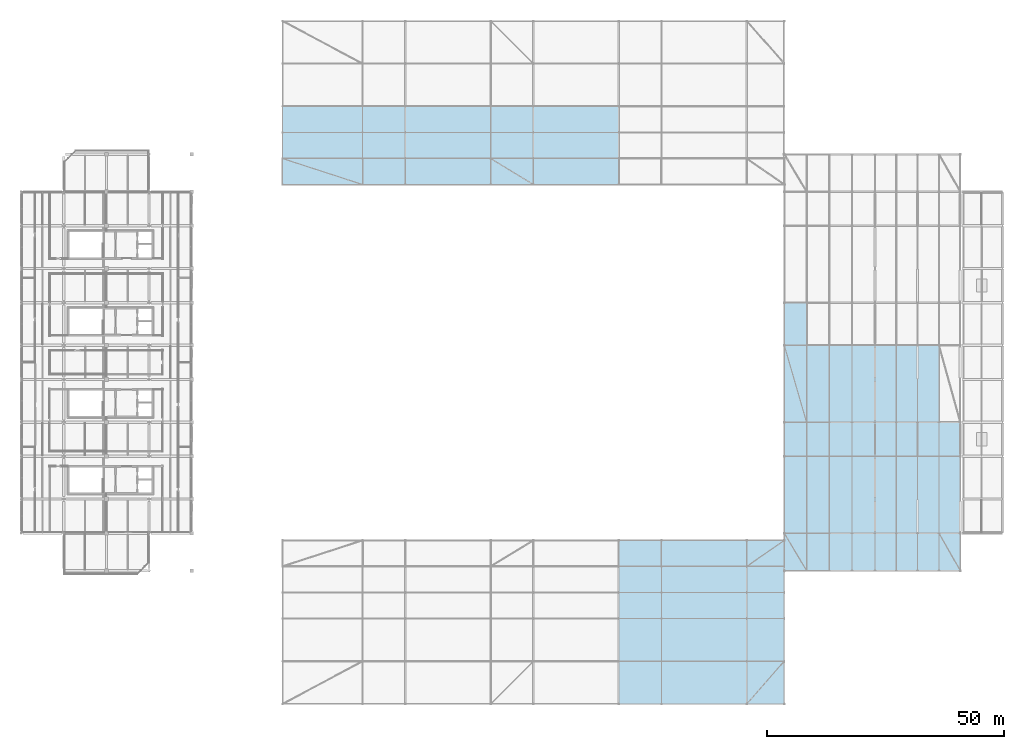
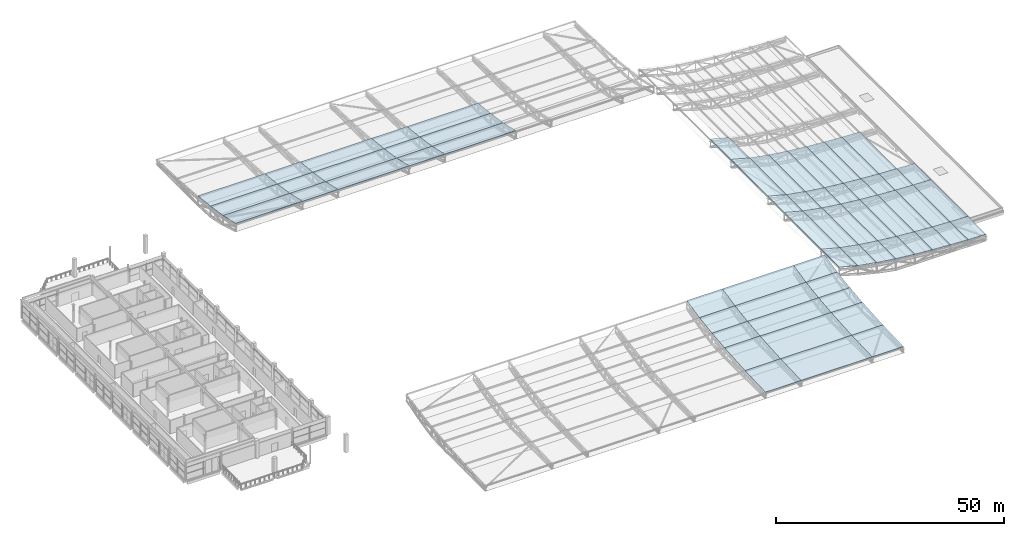
# One storey, part 89 of 114: 62 slabs.
"""IFC4 building model written with IfcOpenShell, lengths in metres."""

from ifc_helpers import new_model, si_unit, direction, frame, origin, place, context, subcontext, project, spatial, polyline, outline, extrude, material, layer, layer_set, type_object, element, save


model = new_model("IFC4")

# Units and contexts
model_context = context("Model", 3, precision=1e-05, world=origin(), true_north=direction((0.0, 1.0)))
body_context = subcontext(model_context, "Body", "Model", "MODEL_VIEW")
ifc_project = project(units=[si_unit("LENGTHUNIT", "METRE"), si_unit("AREAUNIT", "SQUARE_METRE"), si_unit("VOLUMEUNIT", "CUBIC_METRE"), si_unit("PLANEANGLEUNIT", "RADIAN"), si_unit("MASSUNIT", "GRAM", prefix="KILO"), si_unit("THERMODYNAMICTEMPERATUREUNIT", "KELVIN"), si_unit("POWERUNIT", "WATT")], contexts=[model_context])

# Site, building, storey
site_placement = place(None, origin())
site = spatial("IfcSite", under=ifc_project, at=site_placement, CompositionType="ELEMENT")
building_placement = place(site_placement, origin())
building = spatial("IfcBuilding", under=site, at=building_placement, Name="Sindhuravela Promenade Stadium", CompositionType="ELEMENT")
storey_placement = place(building_placement, frame((0.0, 0.0, 24.0)))
storey = spatial("IfcBuildingStorey", under=building, at=storey_placement, Name="L05", CompositionType="ELEMENT", Elevation=24.0)

# Slabs
ifc_material = material(Name="Concrete M40", Category="concrete")
ifc_layer_1 = layer(ifc_material, 0.1298828125)
ifc_layer_set_1 = layer_set([ifc_layer_1], Name="Concrete M40")
slab_type_1 = type_object("IfcSlabType", Name="SL-CAN-130", PredefinedType="ROOF", material=ifc_layer_set_1)
slab_1_placement = place(storey_placement, frame((126.0, 9.0, 1.465087890625), z_axis=(0.0, -0.03629876236799083, 0.9993409827734235), x_axis=(1.0, 0.0, 0.0)))
element("IfcSlab", 1, at=slab_1_placement, inside=storey, type_object=slab_type_1, Name="Stand canopy roof slab S bay 6.1", PredefinedType="ROOF", context=body_context, shape_type="SweptSolid", body=[
    extrude(outline(polyline([(0.0, 0.0), (9.0, 0.0), (9.0, 9.005935066350151), (0.0, 9.005935066350151), (0.0, 0.0)])), origin(), (0.0, 0.0, -1.0), 0.1298828125),
])
slab_2_placement = place(storey_placement, frame((126.0, 18.0, 1.7919921875), z_axis=(0.0, -0.07051629490820784, 0.9975106275887082), x_axis=(1.0, 0.0, 0.0)))
element("IfcSlab", 2, at=slab_2_placement, inside=storey, type_object=slab_type_1, Name="Stand canopy roof slab S bay 6.2", PredefinedType="ROOF", context=body_context, shape_type="SweptSolid", body=[
    extrude(outline(polyline([(0.0, 0.0), (9.0, 0.0), (9.0, 9.022460263662337), (0.0, 9.022460263662337), (0.0, 0.0)])), origin(), (0.0, 0.0, -1.0), 0.1298828125),
])
slab_3_placement = place(storey_placement, frame((126.0, 27.0, 2.42822265625), z_axis=(0.0, -0.1065455909441987, 0.9943078180575428), x_axis=(1.0, 0.0, 0.0)))
element("IfcSlab", 3, at=slab_3_placement, inside=storey, type_object=slab_type_1, Name="Stand canopy roof slab S bay 6.3", PredefinedType="ROOF", context=body_context, shape_type="SweptSolid", body=[
    extrude(outline(polyline([(0.0, 0.0), (9.0, 0.0), (9.0, 5.531486226010649), (0.0, 5.531486226010649), (0.0, 0.0)])), origin(), (0.0, 0.0, -1.0), 0.1298828125),
])
slab_4_placement = place(storey_placement, frame((126.0, 32.5, 3.017578125), z_axis=(0.0, -0.14687168523012892, 0.9891555530237203), x_axis=(1.0, 0.0, 0.0)))
element("IfcSlab", 4, at=slab_4_placement, inside=storey, type_object=slab_type_1, Name="Stand canopy roof slab S bay 6.4", PredefinedType="ROOF", context=body_context, shape_type="SweptSolid", body=[
    extrude(outline(polyline([(0.0, 0.0), (9.0, 0.0), (9.0, 5.560298360745398), (0.0, 5.560298360745398), (0.0, 0.0)])), origin(), (0.0, 0.0, -1.0), 0.1298828125),
])
slab_5_placement = place(storey_placement, frame((126.0, 38.0, 3.834228515625), z_axis=(0.0, -0.21836583135951027, 0.9758669805330386), x_axis=(1.0, 0.0, 0.0)))
element("IfcSlab", 5, at=slab_5_placement, inside=storey, type_object=slab_type_1, Name="Stand canopy roof slab S bay 6.5", PredefinedType="ROOF", context=body_context, shape_type="SweptSolid", body=[
    extrude(outline(polyline([(0.0, 0.0), (9.0, 0.0), (9.0, 5.636014036457906), (0.0, 5.636014036457906), (0.0, 0.0)])), origin(), (0.0, 0.0, -1.0), 0.1298828125),
])
slab_6_placement = place(storey_placement, frame((135.0, 9.0, 1.465087890625), z_axis=(0.0, -0.03629876236799083, 0.9993409827734235), x_axis=(1.0, 0.0, 0.0)))
element("IfcSlab", 6, at=slab_6_placement, inside=storey, type_object=slab_type_1, Name="Stand canopy roof slab S bay 7.1", PredefinedType="ROOF", context=body_context, shape_type="SweptSolid", body=[
    extrude(outline(polyline([(0.0, 0.0), (18.0, 0.0), (18.0, 9.005935066350151), (0.0, 9.005935066350151), (0.0, 0.0)])), origin(), (0.0, 0.0, -1.0), 0.1298828125),
])
slab_7_placement = place(storey_placement, frame((135.0, 18.0, 1.7919921875), z_axis=(0.0, -0.07051629490820784, 0.9975106275887082), x_axis=(1.0, 0.0, 0.0)))
element("IfcSlab", 7, at=slab_7_placement, inside=storey, type_object=slab_type_1, Name="Stand canopy roof slab S bay 7.2", PredefinedType="ROOF", context=body_context, shape_type="SweptSolid", body=[
    extrude(outline(polyline([(0.0, 0.0), (18.0, 0.0), (18.0, 9.022460263662337), (0.0, 9.022460263662337), (0.0, 0.0)])), origin(), (0.0, 0.0, -1.0), 0.1298828125),
])
slab_8_placement = place(storey_placement, frame((135.0, 27.0, 2.42822265625), z_axis=(0.0, -0.1065455909441987, 0.9943078180575428), x_axis=(1.0, 0.0, 0.0)))
element("IfcSlab", 8, at=slab_8_placement, inside=storey, type_object=slab_type_1, Name="Stand canopy roof slab S bay 7.3", PredefinedType="ROOF", context=body_context, shape_type="SweptSolid", body=[
    extrude(outline(polyline([(0.0, 0.0), (18.0, 0.0), (18.0, 5.531486226010649), (0.0, 5.531486226010649), (0.0, 0.0)])), origin(), (0.0, 0.0, -1.0), 0.1298828125),
])
slab_9_placement = place(storey_placement, frame((135.0, 32.5, 3.017578125), z_axis=(0.0, -0.14687168523012892, 0.9891555530237203), x_axis=(1.0, 0.0, 0.0)))
element("IfcSlab", 9, at=slab_9_placement, inside=storey, type_object=slab_type_1, Name="Stand canopy roof slab S bay 7.4", PredefinedType="ROOF", context=body_context, shape_type="SweptSolid", body=[
    extrude(outline(polyline([(0.0, 0.0), (18.0, 0.0), (18.0, 5.560298360745398), (0.0, 5.560298360745398), (0.0, 0.0)])), origin(), (0.0, 0.0, -1.0), 0.1298828125),
])
slab_10_placement = place(storey_placement, frame((135.0, 38.0, 3.834228515625), z_axis=(0.0, -0.21836583135951027, 0.9758669805330386), x_axis=(1.0, 0.0, 0.0)))
element("IfcSlab", 10, at=slab_10_placement, inside=storey, type_object=slab_type_1, Name="Stand canopy roof slab S bay 7.5", PredefinedType="ROOF", context=body_context, shape_type="SweptSolid", body=[
    extrude(outline(polyline([(0.0, 0.0), (18.0, 0.0), (18.0, 5.636014036457906), (0.0, 5.636014036457906), (0.0, 0.0)])), origin(), (0.0, 0.0, -1.0), 0.1298828125),
])
slab_11_placement = place(storey_placement, frame((153.0, 9.0, 1.465087890625), z_axis=(0.0, -0.03629876236799083, 0.9993409827734235), x_axis=(1.0, 0.0, 0.0)))
element("IfcSlab", 11, at=slab_11_placement, inside=storey, type_object=slab_type_1, Name="Stand canopy roof slab S bay 8.1", PredefinedType="ROOF", context=body_context, shape_type="SweptSolid", body=[
    extrude(outline(polyline([(0.0, 0.0), (7.89990234375, 0.0), (7.89990234375, 9.005935066350151), (0.0, 9.005935066350151), (0.0, 0.0)])), origin(), (0.0, 0.0, -1.0), 0.1298828125),
])
slab_12_placement = place(storey_placement, frame((153.0, 18.0, 1.7919921875), z_axis=(0.0, -0.07051629490820784, 0.9975106275887082), x_axis=(1.0, 0.0, 0.0)))
element("IfcSlab", 12, at=slab_12_placement, inside=storey, type_object=slab_type_1, Name="Stand canopy roof slab S bay 8.2", PredefinedType="ROOF", context=body_context, shape_type="SweptSolid", body=[
    extrude(outline(polyline([(0.0, 0.0), (7.89990234375, 0.0), (7.89990234375, 9.022460263662337), (0.0, 9.022460263662337), (0.0, 0.0)])), origin(), (0.0, 0.0, -1.0), 0.1298828125),
])
slab_13_placement = place(storey_placement, frame((153.0, 27.0, 2.42822265625), z_axis=(0.0, -0.10654559094419869, 0.9943078180575426), x_axis=(1.0, 0.0, 0.0)))
element("IfcSlab", 13, at=slab_13_placement, inside=storey, type_object=slab_type_1, Name="Stand canopy roof slab S bay 8.3", PredefinedType="ROOF", context=body_context, shape_type="SweptSolid", body=[
    extrude(outline(polyline([(0.0, 0.0), (7.89990234375, 0.0), (7.89990234375, 5.5314862260106485), (0.0, 5.5314862260106485), (0.0, 0.0)])), origin(), (0.0, 0.0, -1.0), 0.1298828125),
])
slab_14_placement = place(storey_placement, frame((153.0, 32.5, 3.017578125), z_axis=(0.0, -0.14687168523012892, 0.9891555530237204), x_axis=(1.0, 0.0, 0.0)))
element("IfcSlab", 14, at=slab_14_placement, inside=storey, type_object=slab_type_1, Name="Stand canopy roof slab S bay 8.4", PredefinedType="ROOF", context=body_context, shape_type="SweptSolid", body=[
    extrude(outline(polyline([(0.0, 0.0), (7.89990234375, 0.0), (7.89990234375, 5.560298360745398), (0.0, 5.560298360745398), (0.0, 0.0)])), origin(), (0.0, 0.0, -1.0), 0.1298828125),
])
slab_15_placement = place(storey_placement, frame((153.0, 38.0, 3.834228515625), z_axis=(0.0, -0.21836583135951027, 0.9758669805330386), x_axis=(1.0, 0.0, 0.0)))
element("IfcSlab", 15, at=slab_15_placement, inside=storey, type_object=slab_type_1, Name="Stand canopy roof slab S bay 8.5", PredefinedType="ROOF", context=body_context, shape_type="SweptSolid", body=[
    extrude(outline(polyline([(0.0, 0.0), (7.89990234375, 0.0), (7.89990234375, 5.636014036457906), (0.0, 5.636014036457906), (0.0, 0.0)])), origin(), (0.0, 0.0, -1.0), 0.1298828125),
])
slab_16_placement = place(storey_placement, frame((55.10009765625, 135.0, 2.42822265625), z_axis=(0.0, 0.10654559094419869, 0.9943078180575428), x_axis=(1.0, 0.0, 0.0)))
element("IfcSlab", 16, at=slab_16_placement, inside=storey, type_object=slab_type_1, Name="Stand canopy roof slab N bay 1.3", PredefinedType="ROOF", context=body_context, shape_type="SweptSolid", body=[
    extrude(outline(polyline([(0.0, 0.0), (0.0, -5.531486226010649), (16.89990234375, -5.531486226010649), (16.89990234375, 0.0), (0.0, 0.0)])), origin(), (0.0, 0.0, -1.0), 0.1298828125),
])
slab_17_placement = place(storey_placement, frame((55.10009765625, 129.5, 3.017578125), z_axis=(0.0, 0.14687168523012892, 0.9891555530237203), x_axis=(1.0, 0.0, 0.0)))
element("IfcSlab", 17, at=slab_17_placement, inside=storey, type_object=slab_type_1, Name="Stand canopy roof slab N bay 1.4", PredefinedType="ROOF", context=body_context, shape_type="SweptSolid", body=[
    extrude(outline(polyline([(0.0, 0.0), (0.0, -5.560298360745398), (16.89990234375, -5.560298360745398), (16.89990234375, 0.0), (0.0, 0.0)])), origin(), (0.0, 0.0, -1.0), 0.1298828125),
])
slab_18_placement = place(storey_placement, frame((55.10009765625, 124.0, 3.834228515625), z_axis=(0.0, 0.21836583135951027, 0.9758669805330386), x_axis=(1.0, 0.0, 0.0)))
element("IfcSlab", 18, at=slab_18_placement, inside=storey, type_object=slab_type_1, Name="Stand canopy roof slab N bay 1.5", PredefinedType="ROOF", context=body_context, shape_type="SweptSolid", body=[
    extrude(outline(polyline([(0.0, 0.0), (0.0, -5.636014036457906), (16.89990234375, -5.636014036457906), (16.89990234375, 0.0), (0.0, 0.0)])), origin(), (0.0, 0.0, -1.0), 0.1298828125),
])
slab_19_placement = place(storey_placement, frame((72.0, 135.0, 2.42822265625), z_axis=(0.0, 0.1065455909441987, 0.9943078180575428), x_axis=(1.0, 0.0, 0.0)))
element("IfcSlab", 19, at=slab_19_placement, inside=storey, type_object=slab_type_1, Name="Stand canopy roof slab N bay 2.3", PredefinedType="ROOF", context=body_context, shape_type="SweptSolid", body=[
    extrude(outline(polyline([(0.0, 0.0), (0.0, -5.531486226010649), (9.0, -5.531486226010649), (9.0, 0.0), (0.0, 0.0)])), origin(), (0.0, 0.0, -1.0), 0.1298828125),
])
slab_20_placement = place(storey_placement, frame((72.0, 129.5, 3.017578125), z_axis=(0.0, 0.14687168523012892, 0.9891555530237203), x_axis=(1.0, 0.0, 0.0)))
element("IfcSlab", 20, at=slab_20_placement, inside=storey, type_object=slab_type_1, Name="Stand canopy roof slab N bay 2.4", PredefinedType="ROOF", context=body_context, shape_type="SweptSolid", body=[
    extrude(outline(polyline([(0.0, 0.0), (0.0, -5.560298360745398), (9.0, -5.560298360745398), (9.0, 0.0), (0.0, 0.0)])), origin(), (0.0, 0.0, -1.0), 0.1298828125),
])
slab_21_placement = place(storey_placement, frame((72.0, 124.0, 3.834228515625), z_axis=(0.0, 0.21836583135951027, 0.9758669805330386), x_axis=(1.0, 0.0, 0.0)))
element("IfcSlab", 21, at=slab_21_placement, inside=storey, type_object=slab_type_1, Name="Stand canopy roof slab N bay 2.5", PredefinedType="ROOF", context=body_context, shape_type="SweptSolid", body=[
    extrude(outline(polyline([(0.0, 0.0), (0.0, -5.636014036457906), (9.0, -5.636014036457906), (9.0, 0.0), (0.0, 0.0)])), origin(), (0.0, 0.0, -1.0), 0.1298828125),
])
slab_22_placement = place(storey_placement, frame((81.0, 135.0, 2.42822265625), z_axis=(0.0, 0.1065455909441987, 0.9943078180575428), x_axis=(1.0, 0.0, 0.0)))
element("IfcSlab", 22, at=slab_22_placement, inside=storey, type_object=slab_type_1, Name="Stand canopy roof slab N bay 3.3", PredefinedType="ROOF", context=body_context, shape_type="SweptSolid", body=[
    extrude(outline(polyline([(0.0, 0.0), (0.0, -5.531486226010649), (18.0, -5.531486226010649), (18.0, 0.0), (0.0, 0.0)])), origin(), (0.0, 0.0, -1.0), 0.1298828125),
])
slab_23_placement = place(storey_placement, frame((81.0, 129.5, 3.017578125), z_axis=(0.0, 0.14687168523012892, 0.9891555530237203), x_axis=(1.0, 0.0, 0.0)))
element("IfcSlab", 23, at=slab_23_placement, inside=storey, type_object=slab_type_1, Name="Stand canopy roof slab N bay 3.4", PredefinedType="ROOF", context=body_context, shape_type="SweptSolid", body=[
    extrude(outline(polyline([(0.0, 0.0), (0.0, -5.560298360745398), (18.0, -5.560298360745398), (18.0, 0.0), (0.0, 0.0)])), origin(), (0.0, 0.0, -1.0), 0.1298828125),
])
slab_24_placement = place(storey_placement, frame((81.0, 124.0, 3.834228515625), z_axis=(0.0, 0.21836583135951027, 0.9758669805330386), x_axis=(1.0, 0.0, 0.0)))
element("IfcSlab", 24, at=slab_24_placement, inside=storey, type_object=slab_type_1, Name="Stand canopy roof slab N bay 3.5", PredefinedType="ROOF", context=body_context, shape_type="SweptSolid", body=[
    extrude(outline(polyline([(0.0, 0.0), (0.0, -5.636014036457906), (18.0, -5.636014036457906), (18.0, 0.0), (0.0, 0.0)])), origin(), (0.0, 0.0, -1.0), 0.1298828125),
])
slab_25_placement = place(storey_placement, frame((99.0, 135.0, 2.42822265625), z_axis=(0.0, 0.1065455909441987, 0.9943078180575428), x_axis=(1.0, 0.0, 0.0)))
element("IfcSlab", 25, at=slab_25_placement, inside=storey, type_object=slab_type_1, Name="Stand canopy roof slab N bay 4.3", PredefinedType="ROOF", context=body_context, shape_type="SweptSolid", body=[
    extrude(outline(polyline([(0.0, 0.0), (0.0, -5.531486226010649), (9.0, -5.531486226010649), (9.0, 0.0), (0.0, 0.0)])), origin(), (0.0, 0.0, -1.0), 0.1298828125),
])
slab_26_placement = place(storey_placement, frame((99.0, 129.5, 3.017578125), z_axis=(0.0, 0.14687168523012892, 0.9891555530237203), x_axis=(1.0, 0.0, 0.0)))
element("IfcSlab", 26, at=slab_26_placement, inside=storey, type_object=slab_type_1, Name="Stand canopy roof slab N bay 4.4", PredefinedType="ROOF", context=body_context, shape_type="SweptSolid", body=[
    extrude(outline(polyline([(0.0, 0.0), (0.0, -5.560298360745398), (9.0, -5.560298360745398), (9.0, 0.0), (0.0, 0.0)])), origin(), (0.0, 0.0, -1.0), 0.1298828125),
])
slab_27_placement = place(storey_placement, frame((99.0, 124.0, 3.834228515625), z_axis=(0.0, 0.21836583135951027, 0.9758669805330386), x_axis=(1.0, 0.0, 0.0)))
element("IfcSlab", 27, at=slab_27_placement, inside=storey, type_object=slab_type_1, Name="Stand canopy roof slab N bay 4.5", PredefinedType="ROOF", context=body_context, shape_type="SweptSolid", body=[
    extrude(outline(polyline([(0.0, 0.0), (0.0, -5.636014036457906), (9.0, -5.636014036457906), (9.0, 0.0), (0.0, 0.0)])), origin(), (0.0, 0.0, -1.0), 0.1298828125),
])
slab_28_placement = place(storey_placement, frame((108.0, 135.0, 2.42822265625), z_axis=(0.0, 0.1065455909441987, 0.9943078180575428), x_axis=(1.0, 0.0, 0.0)))
element("IfcSlab", 28, at=slab_28_placement, inside=storey, type_object=slab_type_1, Name="Stand canopy roof slab N bay 5.3", PredefinedType="ROOF", context=body_context, shape_type="SweptSolid", body=[
    extrude(outline(polyline([(0.0, 0.0), (0.0, -5.531486226010649), (18.0, -5.531486226010649), (18.0, 0.0), (0.0, 0.0)])), origin(), (0.0, 0.0, -1.0), 0.1298828125),
])
slab_29_placement = place(storey_placement, frame((108.0, 129.5, 3.017578125), z_axis=(0.0, 0.14687168523012892, 0.9891555530237203), x_axis=(1.0, 0.0, 0.0)))
element("IfcSlab", 29, at=slab_29_placement, inside=storey, type_object=slab_type_1, Name="Stand canopy roof slab N bay 5.4", PredefinedType="ROOF", context=body_context, shape_type="SweptSolid", body=[
    extrude(outline(polyline([(0.0, 0.0), (0.0, -5.560298360745398), (18.0, -5.560298360745398), (18.0, 0.0), (0.0, 0.0)])), origin(), (0.0, 0.0, -1.0), 0.1298828125),
])
slab_30_placement = place(storey_placement, frame((108.0, 124.0, 3.834228515625), z_axis=(0.0, 0.21836583135951027, 0.9758669805330386), x_axis=(1.0, 0.0, 0.0)))
element("IfcSlab", 30, at=slab_30_placement, inside=storey, type_object=slab_type_1, Name="Stand canopy roof slab N bay 5.5", PredefinedType="ROOF", context=body_context, shape_type="SweptSolid", body=[
    extrude(outline(polyline([(0.0, 0.0), (0.0, -5.636014036457906), (18.0, -5.636014036457906), (18.0, 0.0), (0.0, 0.0)])), origin(), (0.0, 0.0, -1.0), 0.1298828125),
])
ifc_layer_2 = layer(ifc_material, 0.14990234375)
ifc_layer_set_2 = layer_set([ifc_layer_2], Name="Concrete M40")
slab_type_2 = type_object("IfcSlabType", Name="SL-CAN-150", PredefinedType="ROOF", material=ifc_layer_set_2)
slab_31_placement = place(storey_placement, frame((198.0, 37.10009765625, 1.485107421875), z_axis=(0.029013388526599376, 0.0, 0.9995790230322985), x_axis=(0.0, 1.0, 0.0)))
element("IfcSlab", 31, at=slab_31_placement, inside=storey, type_object=slab_type_2, Name="Stand canopy roof slab E bay 1.1", PredefinedType="ROOF", context=body_context, shape_type="SweptSolid", body=[
    extrude(outline(polyline([(0.0, 0.0), (7.89990234375, 0.0), (7.89990234375, 4.501895194187758), (0.0, 4.501895194187758), (0.0, 0.0)])), origin(), (0.0, 0.0, -1.0), 0.14990234375),
])
slab_32_placement = place(storey_placement, frame((193.5, 37.10009765625, 1.61572265625), z_axis=(0.044011133083803756, 0.0, 0.9990310406412203), x_axis=(0.0, 1.0, 0.0)))
element("IfcSlab", 32, at=slab_32_placement, inside=storey, type_object=slab_type_2, Name="Stand canopy roof slab E bay 1.2", PredefinedType="ROOF", context=body_context, shape_type="SweptSolid", body=[
    extrude(outline(polyline([(0.0, 0.0), (7.89990234375, 0.0), (7.89990234375, 4.504364546182378), (0.0, 4.504364546182378), (0.0, 0.0)])), origin(), (0.0, 0.0, -1.0), 0.14990234375),
])
slab_33_placement = place(storey_placement, frame((189.0, 37.10009765625, 1.81396484375), z_axis=(0.060436199081064255, 0.0, 0.9981720622420935), x_axis=(0.0, 1.0, 0.0)))
element("IfcSlab", 33, at=slab_33_placement, inside=storey, type_object=slab_type_2, Name="Stand canopy roof slab E bay 1.3", PredefinedType="ROOF", context=body_context, shape_type="SweptSolid", body=[
    extrude(outline(polyline([(0.0, 0.0), (7.89990234375, 0.0), (7.89990234375, 4.508240783549985), (0.0, 4.508240783549985), (0.0, 0.0)])), origin(), (0.0, 0.0, -1.0), 0.14990234375),
])
slab_34_placement = place(storey_placement, frame((184.5, 37.10009765625, 2.08642578125), z_axis=(0.07896274138457582, 0.0, 0.996877567945549), x_axis=(0.0, 1.0, 0.0)))
element("IfcSlab", 34, at=slab_34_placement, inside=storey, type_object=slab_type_2, Name="Stand canopy roof slab E bay 1.4", PredefinedType="ROOF", context=body_context, shape_type="SweptSolid", body=[
    extrude(outline(polyline([(0.0, 0.0), (7.89990234375, 0.0), (7.89990234375, 4.514094954783653), (0.0, 4.514094954783653), (0.0, 0.0)])), origin(), (0.0, 0.0, -1.0), 0.14990234375),
])
slab_35_placement = place(storey_placement, frame((180.0, 37.10009765625, 2.44287109375), z_axis=(0.10185297386452327, 0.0, 0.9947994630652717), x_axis=(0.0, 1.0, 0.0)))
element("IfcSlab", 35, at=slab_35_placement, inside=storey, type_object=slab_type_2, Name="Stand canopy roof slab E bay 1.5", PredefinedType="ROOF", context=body_context, shape_type="SweptSolid", body=[
    extrude(outline(polyline([(0.0, 0.0), (7.89990234375, 0.0), (7.89990234375, 4.82514215813369), (0.0, 4.82514215813369), (0.0, 0.0)])), origin(), (0.0, 0.0, -1.0), 0.14990234375),
])
slab_36_placement = place(storey_placement, frame((175.199951171875, 37.10009765625, 2.934326171875), z_axis=(0.13228920638354172, 0.0, 0.9912111610925357), x_axis=(0.0, 1.0, 0.0)))
element("IfcSlab", 36, at=slab_36_placement, inside=storey, type_object=slab_type_2, Name="Stand canopy roof slab E bay 1.6", PredefinedType="ROOF", context=body_context, shape_type="SweptSolid", body=[
    extrude(outline(polyline([(0.0, 0.0), (7.89990234375, 0.0), (7.89990234375, 4.842609745066103), (0.0, 4.842609745066103), (0.0, 0.0)])), origin(), (0.0, 0.0, -1.0), 0.14990234375),
])
slab_37_placement = place(storey_placement, frame((170.39990234375, 37.10009765625, 3.574951171875), z_axis=(0.17653223173388988, 0.0, 0.9842948598662152), x_axis=(0.0, 1.0, 0.0)))
element("IfcSlab", 37, at=slab_37_placement, inside=storey, type_object=slab_type_2, Name="Stand canopy roof slab E bay 1.7", PredefinedType="ROOF", context=body_context, shape_type="SweptSolid", body=[
    extrude(outline(polyline([(0.0, 0.0), (7.89990234375, 0.0), (7.89990234375, 4.876389061050656), (0.0, 4.876389061050656), (0.0, 0.0)])), origin(), (0.0, 0.0, -1.0), 0.14990234375),
])
slab_38_placement = place(storey_placement, frame((165.60009765625, 37.10009765625, 4.435791015625), z_axis=(0.2568720746349965, 0.0, 0.9664454134987204), x_axis=(0.0, 1.0, 0.0)))
element("IfcSlab", 38, at=slab_38_placement, inside=storey, type_object=slab_type_2, Name="Stand canopy roof slab E bay 1.8", PredefinedType="ROOF", context=body_context, shape_type="SweptSolid", body=[
    extrude(outline(polyline([(0.0, 0.0), (7.89990234375, 0.0), (7.89990234375, 4.8633841568810166), (0.0, 4.8633841568810166), (0.0, 0.0)])), origin(), (0.0, 0.0, -1.0), 0.14990234375),
])
slab_39_placement = place(storey_placement, frame((198.0, 45.0, 1.485107421875), z_axis=(0.029013388526599376, 0.0, 0.9995790230322985), x_axis=(0.0, 1.0, 0.0)))
element("IfcSlab", 39, at=slab_39_placement, inside=storey, type_object=slab_type_2, Name="Stand canopy roof slab E bay 2.1", PredefinedType="ROOF", context=body_context, shape_type="SweptSolid", body=[
    extrude(outline(polyline([(0.0, 0.0), (16.199951171875, 0.0), (16.199951171875, 4.501895194187758), (0.0, 4.501895194187758), (0.0, 0.0)])), origin(), (0.0, 0.0, -1.0), 0.14990234375),
])
slab_40_placement = place(storey_placement, frame((193.5, 45.0, 1.61572265625), z_axis=(0.044011133083803756, 0.0, 0.9990310406412203), x_axis=(0.0, 1.0, 0.0)))
element("IfcSlab", 40, at=slab_40_placement, inside=storey, type_object=slab_type_2, Name="Stand canopy roof slab E bay 2.2", PredefinedType="ROOF", context=body_context, shape_type="SweptSolid", body=[
    extrude(outline(polyline([(0.0, 0.0), (16.199951171875, 0.0), (16.199951171875, 4.504364546182378), (0.0, 4.504364546182378), (0.0, 0.0)])), origin(), (0.0, 0.0, -1.0), 0.14990234375),
])
slab_41_placement = place(storey_placement, frame((189.0, 45.0, 1.81396484375), z_axis=(0.060436199081064255, 0.0, 0.9981720622420935), x_axis=(0.0, 1.0, 0.0)))
element("IfcSlab", 41, at=slab_41_placement, inside=storey, type_object=slab_type_2, Name="Stand canopy roof slab E bay 2.3", PredefinedType="ROOF", context=body_context, shape_type="SweptSolid", body=[
    extrude(outline(polyline([(0.0, 0.0), (16.199951171875, 0.0), (16.199951171875, 4.508240783549985), (0.0, 4.508240783549985), (0.0, 0.0)])), origin(), (0.0, 0.0, -1.0), 0.14990234375),
])
slab_42_placement = place(storey_placement, frame((184.5, 45.0, 2.08642578125), z_axis=(0.07896274138457582, 0.0, 0.996877567945549), x_axis=(0.0, 1.0, 0.0)))
element("IfcSlab", 42, at=slab_42_placement, inside=storey, type_object=slab_type_2, Name="Stand canopy roof slab E bay 2.4", PredefinedType="ROOF", context=body_context, shape_type="SweptSolid", body=[
    extrude(outline(polyline([(0.0, 0.0), (16.199951171875, 0.0), (16.199951171875, 4.514094954783653), (0.0, 4.514094954783653), (0.0, 0.0)])), origin(), (0.0, 0.0, -1.0), 0.14990234375),
])
slab_43_placement = place(storey_placement, frame((180.0, 45.0, 2.44287109375), z_axis=(0.10185297386452324, 0.0, 0.9947994630652716), x_axis=(0.0, 1.0, 0.0)))
element("IfcSlab", 43, at=slab_43_placement, inside=storey, type_object=slab_type_2, Name="Stand canopy roof slab E bay 2.5", PredefinedType="ROOF", context=body_context, shape_type="SweptSolid", body=[
    extrude(outline(polyline([(0.0, 0.0), (16.199951171875, 0.0), (16.199951171875, 4.825142158133689), (0.0, 4.825142158133689), (0.0, 0.0)])), origin(), (0.0, 0.0, -1.0), 0.14990234375),
])
slab_44_placement = place(storey_placement, frame((175.199951171875, 45.0, 2.934326171875), z_axis=(0.1322892063835417, 0.0, 0.9912111610925356), x_axis=(0.0, 1.0, 0.0)))
element("IfcSlab", 44, at=slab_44_placement, inside=storey, type_object=slab_type_2, Name="Stand canopy roof slab E bay 2.6", PredefinedType="ROOF", context=body_context, shape_type="SweptSolid", body=[
    extrude(outline(polyline([(0.0, 0.0), (16.199951171875, 0.0), (16.199951171875, 4.8426097450661025), (0.0, 4.8426097450661025), (0.0, 0.0)])), origin(), (0.0, 0.0, -1.0), 0.14990234375),
])
slab_45_placement = place(storey_placement, frame((170.39990234375, 45.0, 3.574951171875), z_axis=(0.17653223173388985, 0.0, 0.9842948598662151), x_axis=(0.0, 1.0, 0.0)))
element("IfcSlab", 45, at=slab_45_placement, inside=storey, type_object=slab_type_2, Name="Stand canopy roof slab E bay 2.7", PredefinedType="ROOF", context=body_context, shape_type="SweptSolid", body=[
    extrude(outline(polyline([(0.0, 0.0), (16.199951171875, 0.0), (16.199951171875, 4.876389061050656), (0.0, 4.876389061050656), (0.0, 0.0)])), origin(), (0.0, 0.0, -1.0), 0.14990234375),
])
slab_46_placement = place(storey_placement, frame((165.60009765625, 45.0, 4.435791015625), z_axis=(0.2568720746349965, 0.0, 0.9664454134987206), x_axis=(0.0, 1.0, 0.0)))
element("IfcSlab", 46, at=slab_46_placement, inside=storey, type_object=slab_type_2, Name="Stand canopy roof slab E bay 2.8", PredefinedType="ROOF", context=body_context, shape_type="SweptSolid", body=[
    extrude(outline(polyline([(0.0, 0.0), (16.199951171875, 0.0), (16.199951171875, 4.863384156881017), (0.0, 4.863384156881017), (0.0, 0.0)])), origin(), (0.0, 0.0, -1.0), 0.14990234375),
])
slab_47_placement = place(storey_placement, frame((198.0, 61.199951171875, 1.485107421875), z_axis=(0.02901338852659938, 0.0, 0.9995790230322986), x_axis=(0.0, 1.0, 0.0)))
element("IfcSlab", 47, at=slab_47_placement, inside=storey, type_object=slab_type_2, Name="Stand canopy roof slab E bay 3.1", PredefinedType="ROOF", context=body_context, shape_type="SweptSolid", body=[
    extrude(outline(polyline([(0.0, 0.0), (7.199951171875, 0.0), (7.199951171875, 4.5018951941877585), (0.0, 4.5018951941877585), (0.0, 0.0)])), origin(), (0.0, 0.0, -1.0), 0.14990234375),
])
slab_48_placement = place(storey_placement, frame((193.5, 61.199951171875, 1.61572265625), z_axis=(0.04401113308380376, 0.0, 0.9990310406412204), x_axis=(0.0, 1.0, 0.0)))
element("IfcSlab", 48, at=slab_48_placement, inside=storey, type_object=slab_type_2, Name="Stand canopy roof slab E bay 3.2", PredefinedType="ROOF", context=body_context, shape_type="SweptSolid", body=[
    extrude(outline(polyline([(0.0, 0.0), (7.199951171875, 0.0), (7.199951171875, 4.504364546182379), (0.0, 4.504364546182379), (0.0, 0.0)])), origin(), (0.0, 0.0, -1.0), 0.14990234375),
])
slab_49_placement = place(storey_placement, frame((189.0, 61.199951171875, 1.81396484375), z_axis=(0.060436199081064255, 0.0, 0.9981720622420935), x_axis=(0.0, 1.0, 0.0)))
element("IfcSlab", 49, at=slab_49_placement, inside=storey, type_object=slab_type_2, Name="Stand canopy roof slab E bay 3.3", PredefinedType="ROOF", context=body_context, shape_type="SweptSolid", body=[
    extrude(outline(polyline([(0.0, 0.0), (7.199951171875, 0.0), (7.199951171875, 4.508240783549985), (0.0, 4.508240783549985), (0.0, 0.0)])), origin(), (0.0, 0.0, -1.0), 0.14990234375),
])
slab_50_placement = place(storey_placement, frame((184.5, 61.199951171875, 2.08642578125), z_axis=(0.07896274138457582, 0.0, 0.9968775679455489), x_axis=(0.0, 1.0, 0.0)))
element("IfcSlab", 50, at=slab_50_placement, inside=storey, type_object=slab_type_2, Name="Stand canopy roof slab E bay 3.4", PredefinedType="ROOF", context=body_context, shape_type="SweptSolid", body=[
    extrude(outline(polyline([(0.0, 0.0), (7.199951171875, 0.0), (7.199951171875, 4.514094954783652), (0.0, 4.514094954783652), (0.0, 0.0)])), origin(), (0.0, 0.0, -1.0), 0.14990234375),
])
slab_51_placement = place(storey_placement, frame((180.0, 61.199951171875, 2.44287109375), z_axis=(0.10185297386452326, 0.0, 0.9947994630652717), x_axis=(0.0, 1.0, 0.0)))
element("IfcSlab", 51, at=slab_51_placement, inside=storey, type_object=slab_type_2, Name="Stand canopy roof slab E bay 3.5", PredefinedType="ROOF", context=body_context, shape_type="SweptSolid", body=[
    extrude(outline(polyline([(0.0, 0.0), (7.199951171875, 0.0), (7.199951171875, 4.82514215813369), (0.0, 4.82514215813369), (0.0, 0.0)])), origin(), (0.0, 0.0, -1.0), 0.14990234375),
])
slab_52_placement = place(storey_placement, frame((175.199951171875, 61.199951171875, 2.934326171875), z_axis=(0.13228920638354172, 0.0, 0.9912111610925356), x_axis=(0.0, 1.0, 0.0)))
element("IfcSlab", 52, at=slab_52_placement, inside=storey, type_object=slab_type_2, Name="Stand canopy roof slab E bay 3.6", PredefinedType="ROOF", context=body_context, shape_type="SweptSolid", body=[
    extrude(outline(polyline([(0.0, 0.0), (7.199951171875, 0.0), (7.199951171875, 4.8426097450661025), (0.0, 4.8426097450661025), (0.0, 0.0)])), origin(), (0.0, 0.0, -1.0), 0.14990234375),
])
slab_53_placement = place(storey_placement, frame((170.39990234375, 61.199951171875, 3.574951171875), z_axis=(0.17653223173388988, 0.0, 0.9842948598662152), x_axis=(0.0, 1.0, 0.0)))
element("IfcSlab", 53, at=slab_53_placement, inside=storey, type_object=slab_type_2, Name="Stand canopy roof slab E bay 3.7", PredefinedType="ROOF", context=body_context, shape_type="SweptSolid", body=[
    extrude(outline(polyline([(0.0, 0.0), (7.199951171875, 0.0), (7.199951171875, 4.876389061050656), (0.0, 4.876389061050656), (0.0, 0.0)])), origin(), (0.0, 0.0, -1.0), 0.14990234375),
])
slab_54_placement = place(storey_placement, frame((165.60009765625, 61.199951171875, 4.435791015625), z_axis=(0.2568720746349965, 0.0, 0.9664454134987205), x_axis=(0.0, 1.0, 0.0)))
element("IfcSlab", 54, at=slab_54_placement, inside=storey, type_object=slab_type_2, Name="Stand canopy roof slab E bay 3.8", PredefinedType="ROOF", context=body_context, shape_type="SweptSolid", body=[
    extrude(outline(polyline([(0.0, 0.0), (7.199951171875, 0.0), (7.199951171875, 4.8633841568810166), (0.0, 4.8633841568810166), (0.0, 0.0)])), origin(), (0.0, 0.0, -1.0), 0.14990234375),
])
slab_55_placement = place(storey_placement, frame((193.5, 68.39990234375, 1.61572265625), z_axis=(0.04401113308380376, 0.0, 0.9990310406412204), x_axis=(0.0, 1.0, 0.0)))
element("IfcSlab", 55, at=slab_55_placement, inside=storey, type_object=slab_type_2, Name="Stand canopy roof slab E bay 4.2", PredefinedType="ROOF", context=body_context, shape_type="SweptSolid", body=[
    extrude(outline(polyline([(0.0, 0.0), (16.2001953125, 0.0), (16.2001953125, 4.504364546182379), (0.0, 4.504364546182379), (0.0, 0.0)])), origin(), (0.0, 0.0, -1.0), 0.14990234375),
])
slab_56_placement = place(storey_placement, frame((189.0, 68.39990234375, 1.81396484375), z_axis=(0.06043619908106426, 0.0, 0.9981720622420936), x_axis=(0.0, 1.0, 0.0)))
element("IfcSlab", 56, at=slab_56_placement, inside=storey, type_object=slab_type_2, Name="Stand canopy roof slab E bay 4.3", PredefinedType="ROOF", context=body_context, shape_type="SweptSolid", body=[
    extrude(outline(polyline([(0.0, 0.0), (16.2001953125, 0.0), (16.2001953125, 4.508240783549985), (0.0, 4.508240783549985), (0.0, 0.0)])), origin(), (0.0, 0.0, -1.0), 0.14990234375),
])
slab_57_placement = place(storey_placement, frame((184.5, 68.39990234375, 2.08642578125), z_axis=(0.07896274138457582, 0.0, 0.9968775679455489), x_axis=(0.0, 1.0, 0.0)))
element("IfcSlab", 57, at=slab_57_placement, inside=storey, type_object=slab_type_2, Name="Stand canopy roof slab E bay 4.4", PredefinedType="ROOF", context=body_context, shape_type="SweptSolid", body=[
    extrude(outline(polyline([(0.0, 0.0), (16.2001953125, 0.0), (16.2001953125, 4.514094954783652), (0.0, 4.514094954783652), (0.0, 0.0)])), origin(), (0.0, 0.0, -1.0), 0.14990234375),
])
slab_58_placement = place(storey_placement, frame((180.0, 68.39990234375, 2.44287109375), z_axis=(0.10185297386452327, 0.0, 0.9947994630652717), x_axis=(0.0, 1.0, 0.0)))
element("IfcSlab", 58, at=slab_58_placement, inside=storey, type_object=slab_type_2, Name="Stand canopy roof slab E bay 4.5", PredefinedType="ROOF", context=body_context, shape_type="SweptSolid", body=[
    extrude(outline(polyline([(0.0, 0.0), (16.2001953125, 0.0), (16.2001953125, 4.82514215813369), (0.0, 4.82514215813369), (0.0, 0.0)])), origin(), (0.0, 0.0, -1.0), 0.14990234375),
])
slab_59_placement = place(storey_placement, frame((175.199951171875, 68.39990234375, 2.934326171875), z_axis=(0.13228920638354172, 0.0, 0.9912111610925356), x_axis=(0.0, 1.0, 0.0)))
element("IfcSlab", 59, at=slab_59_placement, inside=storey, type_object=slab_type_2, Name="Stand canopy roof slab E bay 4.6", PredefinedType="ROOF", context=body_context, shape_type="SweptSolid", body=[
    extrude(outline(polyline([(0.0, 0.0), (16.2001953125, 0.0), (16.2001953125, 4.8426097450661025), (0.0, 4.8426097450661025), (0.0, 0.0)])), origin(), (0.0, 0.0, -1.0), 0.14990234375),
])
slab_60_placement = place(storey_placement, frame((170.39990234375, 68.39990234375, 3.574951171875), z_axis=(0.17653223173388988, 0.0, 0.9842948598662152), x_axis=(0.0, 1.0, 0.0)))
element("IfcSlab", 60, at=slab_60_placement, inside=storey, type_object=slab_type_2, Name="Stand canopy roof slab E bay 4.7", PredefinedType="ROOF", context=body_context, shape_type="SweptSolid", body=[
    extrude(outline(polyline([(0.0, 0.0), (16.2001953125, 0.0), (16.2001953125, 4.876389061050656), (0.0, 4.876389061050656), (0.0, 0.0)])), origin(), (0.0, 0.0, -1.0), 0.14990234375),
])
slab_61_placement = place(storey_placement, frame((165.60009765625, 68.39990234375, 4.435791015625), z_axis=(0.2568720746349965, 0.0, 0.9664454134987205), x_axis=(0.0, 1.0, 0.0)))
element("IfcSlab", 61, at=slab_61_placement, inside=storey, type_object=slab_type_2, Name="Stand canopy roof slab E bay 4.8", PredefinedType="ROOF", context=body_context, shape_type="SweptSolid", body=[
    extrude(outline(polyline([(0.0, 0.0), (16.2001953125, 0.0), (16.2001953125, 4.8633841568810166), (0.0, 4.8633841568810166), (0.0, 0.0)])), origin(), (0.0, 0.0, -1.0), 0.14990234375),
])
slab_62_placement = place(storey_placement, frame((165.60009765625, 84.60009765625, 4.435791015625), z_axis=(0.2568720746349965, 0.0, 0.9664454134987204), x_axis=(0.0, 1.0, 0.0)))
element("IfcSlab", 62, at=slab_62_placement, inside=storey, type_object=slab_type_2, Name="Stand canopy roof slab E bay 5.8", PredefinedType="ROOF", context=body_context, shape_type="SweptSolid", body=[
    extrude(outline(polyline([(0.0, 0.0), (9.0, 0.0), (9.0, 4.8633841568810166), (0.0, 4.8633841568810166), (0.0, 0.0)])), origin(), (0.0, 0.0, -1.0), 0.14990234375),
])

save(model, "model.ifc")
